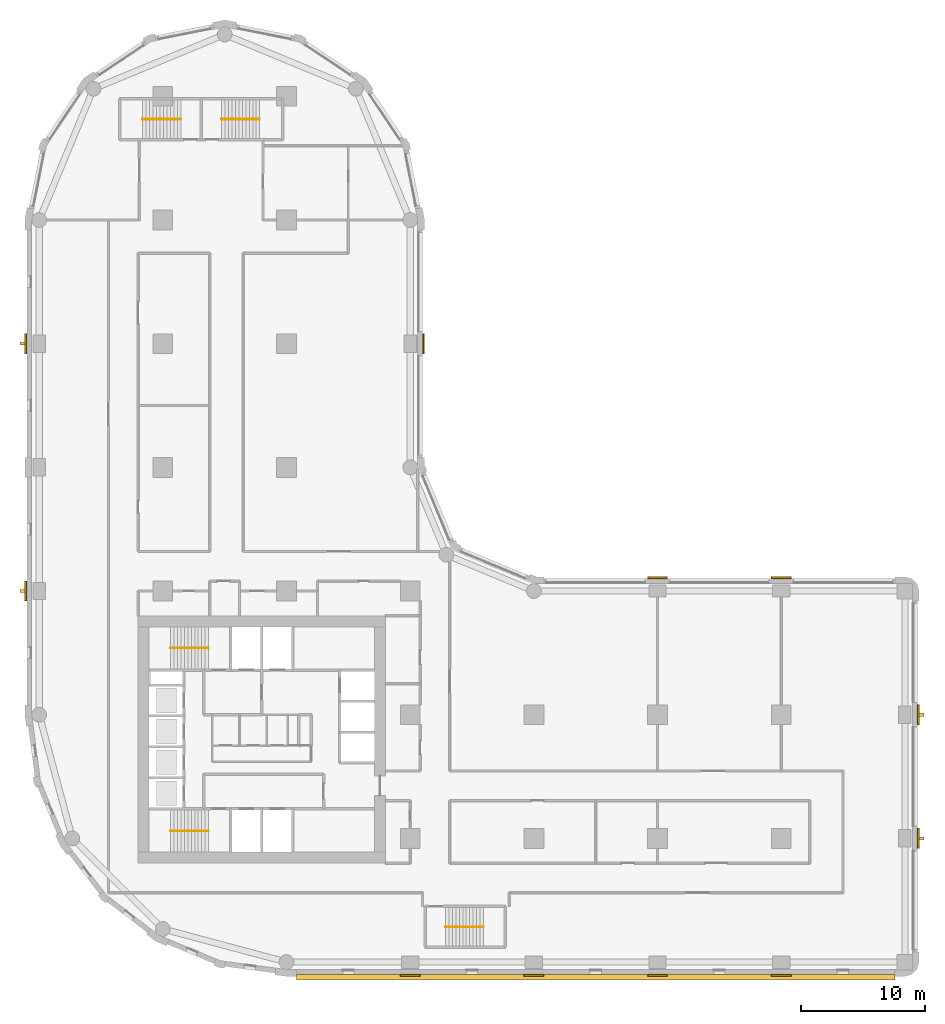
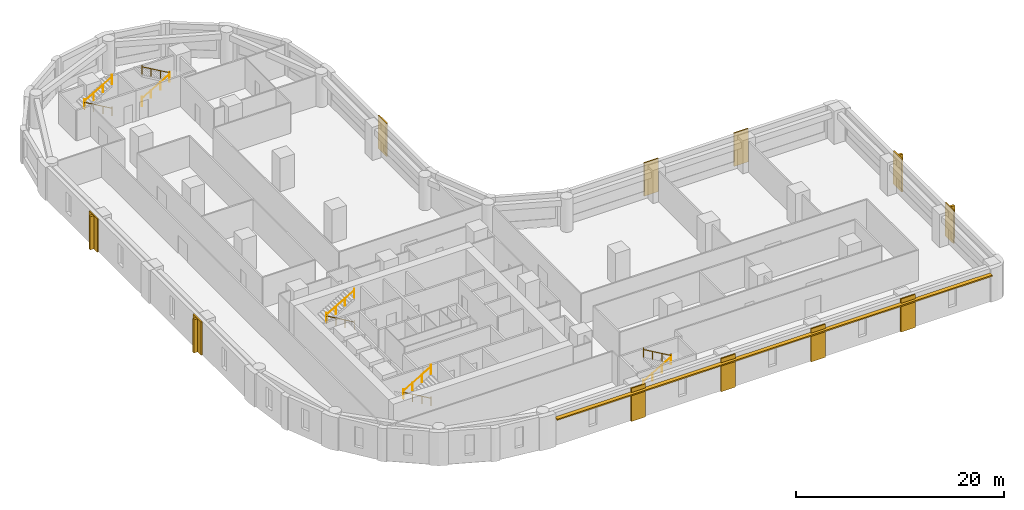
# One storey, part 9 of 10: 11 coverings, 10 railings, 5 shading devices.
"""IFC4 building model written with IfcOpenShell, lengths in metres."""

from ifc_helpers import new_model, si_unit, direction, frame, origin, origin_2d, place, context, subcontext, project, spatial, polyline, rectangle, circle, outline, extrude, material, layer, layer_set, type_object, element, save


model = new_model("IFC4")

# Units and contexts
model_context = context("Model", 3, precision=1e-05, world=origin(), true_north=direction((0.0, 1.0)))
body_context = subcontext(model_context, "Body", "Model", "MODEL_VIEW")
ifc_project = project(units=[si_unit("LENGTHUNIT", "METRE"), si_unit("AREAUNIT", "SQUARE_METRE"), si_unit("VOLUMEUNIT", "CUBIC_METRE"), si_unit("PLANEANGLEUNIT", "RADIAN"), si_unit("MASSUNIT", "GRAM", prefix="KILO")], contexts=[model_context])

# Site, building, storey
site_placement = place(None, origin())
site = spatial("IfcSite", under=ifc_project, at=site_placement, CompositionType="ELEMENT")
building_placement = place(site_placement, origin())
building = spatial("IfcBuilding", under=site, at=building_placement, Name="Qaws Garden Tower", CompositionType="ELEMENT")
storey_placement = place(building_placement, frame((0.0, 0.0, 35.39990234375)))
storey = spatial("IfcBuildingStorey", under=building, at=storey_placement, Name="L08", CompositionType="ELEMENT", Elevation=35.39990234375)

# Coverings
ifc_material_1 = material(Name="Clay facing brick masonry", Category="masonry")
ifc_layer_1 = layer(ifc_material_1, 0.14990234375)
ifc_layer_set_1 = layer_set([ifc_layer_1], Name="Clay facing brick masonry")
covering_type = type_object("IfcCoveringType", Name="Brick pilaster facing 150 x 1600", PredefinedType="CLADDING", material=ifc_layer_set_1)
placement = place(storey_placement, origin())
element("IfcCovering", 1, at=placement, inside=storey, type_object=covering_type, Name="E-L08-pier-01", PredefinedType="CLADDING", context=body_context, shape_type="SweptSolid", body=[
    extrude(outline(polyline([(29.199951171875, -1.0), (30.800048828125, -1.0), (30.800048828125, -1.14990234375), (29.199951171875, -1.14990234375), (29.199951171875, -1.0)])), origin(), (0.0, 0.0, 1.0), 3.900146484375),
])
element("IfcCovering", 2, at=placement, inside=storey, type_object=covering_type, Name="E-L08-pier-02", PredefinedType="CLADDING", context=body_context, shape_type="SweptSolid", body=[
    extrude(outline(polyline([(39.199951171875, -1.0), (40.800048828125, -1.0), (40.800048828125, -1.14990234375), (39.199951171875, -1.14990234375), (39.199951171875, -1.0)])), origin(), (0.0, 0.0, 1.0), 3.900146484375),
])
element("IfcCovering", 3, at=placement, inside=storey, type_object=covering_type, Name="E-L08-pier-03", PredefinedType="CLADDING", context=body_context, shape_type="SweptSolid", body=[
    extrude(outline(polyline([(49.199951171875, -1.0), (50.800048828125, -1.0), (50.800048828125, -1.14990234375), (49.199951171875, -1.14990234375), (49.199951171875, -1.0)])), origin(), (0.0, 0.0, 1.0), 3.900146484375),
])
element("IfcCovering", 4, at=placement, inside=storey, type_object=covering_type, Name="E-L08-pier-04", PredefinedType="CLADDING", context=body_context, shape_type="SweptSolid", body=[
    extrude(outline(polyline([(59.199951171875, -1.0), (60.800048828125, -1.0), (60.800048828125, -1.14990234375), (59.199951171875, -1.14990234375), (59.199951171875, -1.0)])), origin(), (0.0, 0.0, 1.0), 3.900146484375),
])
element("IfcCovering", 5, at=placement, inside=storey, type_object=covering_type, Name="E-L08-pier-06", PredefinedType="CLADDING", context=body_context, shape_type="SweptSolid", body=[
    extrude(outline(polyline([(71.0, 9.199951171875), (71.0, 10.800048828125), (71.14990234375, 10.800048828125), (71.14990234375, 9.199951171875), (71.0, 9.199951171875)])), origin(), (0.0, 0.0, 1.0), 3.900146484375),
])
element("IfcCovering", 6, at=placement, inside=storey, type_object=covering_type, Name="E-L08-pier-07", PredefinedType="CLADDING", context=body_context, shape_type="SweptSolid", body=[
    extrude(outline(polyline([(71.0, 19.199951171875), (71.0, 20.800048828125), (71.14990234375, 20.800048828125), (71.14990234375, 19.199951171875), (71.0, 19.199951171875)])), origin(), (0.0, 0.0, 1.0), 3.900146484375),
])
element("IfcCovering", 7, at=placement, inside=storey, type_object=covering_type, Name="E-L08-pier-09", PredefinedType="CLADDING", context=body_context, shape_type="SweptSolid", body=[
    extrude(outline(polyline([(60.800048828125, 31.0), (59.199951171875, 31.0), (59.199951171875, 31.14990234375), (60.800048828125, 31.14990234375), (60.800048828125, 31.0)])), origin(), (0.0, 0.0, 1.0), 3.900146484375),
])
element("IfcCovering", 8, at=placement, inside=storey, type_object=covering_type, Name="E-L08-pier-10", PredefinedType="CLADDING", context=body_context, shape_type="SweptSolid", body=[
    extrude(outline(polyline([(50.800048828125, 31.0), (49.199951171875, 31.0), (49.199951171875, 31.14990234375), (50.800048828125, 31.14990234375), (50.800048828125, 31.0)])), origin(), (0.0, 0.0, 1.0), 3.900146484375),
])
element("IfcCovering", 9, at=placement, inside=storey, type_object=covering_type, Name="E-L08-pier-14", PredefinedType="CLADDING", context=body_context, shape_type="SweptSolid", body=[
    extrude(outline(polyline([(31.0, 49.199951171875), (31.0, 50.800048828125), (31.14990234375, 50.800048828125), (31.14990234375, 49.199951171875), (31.0, 49.199951171875)])), origin(), (0.0, 0.0, 1.0), 3.900146484375),
])
element("IfcCovering", 10, at=placement, inside=storey, type_object=covering_type, Name="E-L08-pier-24", PredefinedType="CLADDING", context=body_context, shape_type="SweptSolid", body=[
    extrude(outline(polyline([(-1.0, 50.800048828125), (-1.0, 49.199951171875), (-1.14990234375, 49.199951171875), (-1.14990234375, 50.800048828125), (-1.0, 50.800048828125)])), origin(), (0.0, 0.0, 1.0), 3.900146484375),
])
element("IfcCovering", 11, at=placement, inside=storey, type_object=covering_type, Name="E-L08-pier-26", PredefinedType="CLADDING", context=body_context, shape_type="SweptSolid", body=[
    extrude(outline(polyline([(-1.0, 30.800048828125), (-1.0, 29.199951171875), (-1.14990234375, 29.199951171875), (-1.14990234375, 30.800048828125), (-1.0, 30.800048828125)])), origin(), (0.0, 0.0, 1.0), 3.900146484375),
])

# Shading devices
ifc_material_2 = material(Name="Clay facing brick masonry", Category="masonry")
ifc_layer_2 = layer(ifc_material_2, 0.14990234375)
ifc_layer_set_2 = layer_set([ifc_layer_2], Name="Clay facing brick masonry")
shading_device_type_1 = type_object("IfcShadingDeviceType", Name="Brick sunshade band 450 x 150", PredefinedType="JALOUSIE", material=ifc_layer_set_2)
shading_device_placement = place(storey_placement, frame((0.0, 0.0, 3.25)))
element("IfcShadingDevice", 12, at=shading_device_placement, inside=storey, type_object=shading_device_type_1, Name="SUNSHADE 00", PredefinedType="JALOUSIE", context=body_context, shape_type="SweptSolid", body=[
    extrude(outline(polyline([(20.800048828125, -1.0), (20.800048828125, -1.449951171875), (69.199951171875, -1.449951171875), (69.199951171875, -1.0), (60.800048828125, -1.0), (60.800048828125, -1.14990234375), (59.199951171875, -1.14990234375), (59.199951171875, -1.0), (50.800048828125, -1.0), (50.800048828125, -1.14990234375), (49.199951171875, -1.14990234375), (49.199951171875, -1.0), (40.800048828125, -1.0), (40.800048828125, -1.14990234375), (39.199951171875, -1.14990234375), (39.199951171875, -1.0), (30.800048828125, -1.0), (30.800048828125, -1.14990234375), (29.199951171875, -1.14990234375), (29.199951171875, -1.0), (20.800048828125, -1.0)])), origin(), (0.0, 0.0, 1.0), 0.150146484375),
])
ifc_material_3 = material(Name="Clay facing brick masonry", Category="masonry")
ifc_layer_3 = layer(ifc_material_3, 0.25)
ifc_layer_set_3 = layer_set([ifc_layer_3], Name="Clay facing brick masonry")
shading_device_type_2 = type_object("IfcShadingDeviceType", Name="Brick-faced fin 250 x 400", PredefinedType="USERDEFINED", material=ifc_layer_set_3)
for number, where, z_axis, x_axis, name in (
    (13, (71.35009765625, 10.0, 0.000244140625), (0.0, 0.0, 1.0), (0.0, 1.0, 0.0), "FIN 06"),
    (14, (71.35009765625, 20.0, 0.000244140625), (0.0, 0.0, 1.0), (0.0, 1.0, 0.0), "FIN 07"),
    (15, (-1.35009765625, 50.0, 0.000244140625), (0.0, 0.0, 1.0), (0.0, -1.0, 0.0), "FIN 24"),
    (16, (-1.35009765625, 30.0, 0.000244140625), (0.0, 0.0, 1.0), (0.0, -1.0, 0.0), "FIN 26"),
):
    element("IfcShadingDevice", number, at=place(storey_placement, frame(where, z_axis=z_axis, x_axis=x_axis)), inside=storey, type_object=shading_device_type_2, Name=name, ObjectType="FIN", PredefinedType="USERDEFINED", context=body_context, shape_type="SweptSolid", body=[
        extrude(rectangle(XDim=0.25, YDim=0.39990234375, at=origin_2d()), origin(), (0.0, 0.0, 1.0), 3.89990234375),
    ])

# Railings
ifc_material_4 = material(Name="Steel S355", Category="steel")
railing_type = type_object("IfcRailingType", Name="Stair handrail 900", PredefinedType="HANDRAIL", material=ifc_material_4)
railing_1_placement = place(storey_placement, frame((13.699951171875, 10.60009765625, 0.16259765625)))
element("IfcRailing", 17, at=railing_1_placement, inside=storey, type_object=railing_type, Name="Stair 1 handrail", PredefinedType="HANDRAIL", context=body_context, shape_type="SweptSolid", body=[
    extrude(circle(Radius=0.02392578125, at=origin_2d()), frame((0.0, 0.0, 0.8759765625), z_axis=(-0.864873446163, 0.0, 0.501989962173), x_axis=(0.0, -1.0, 0.0)), (0.0, 0.0, 1.0), 3.56103515625),
    extrude(circle(Radius=0.02099609375, at=origin_2d()), origin(), (0.0, 0.0, 1.0), 1.06201171875),
    extrude(circle(Radius=0.02099609375, at=origin_2d()), frame((-1.026611328125, 0.0, 0.595947265625)), (0.0, 0.0, 1.0), 0.851806640625),
    extrude(circle(Radius=0.02099609375, at=origin_2d()), frame((-2.05322265625, 0.0, 1.191650390625)), (0.0, 0.0, 1.0), 0.851806640625),
    extrude(circle(Radius=0.02099609375, at=origin_2d()), frame((-3.079833984375, 0.0, 1.78759765625)), (0.0, 0.0, 1.0), 1.06201171875),
])
railing_2_placement = place(storey_placement, frame((10.6201171875, 10.60009765625, 2.112548828125)))
element("IfcRailing", 18, at=railing_2_placement, inside=storey, type_object=railing_type, Name="Stair 1 handrail", PredefinedType="HANDRAIL", context=body_context, shape_type="SweptSolid", body=[
    extrude(circle(Radius=0.02392578125, at=origin_2d()), frame((0.0, 0.0, 0.8759765625), z_axis=(0.864873446163, 0.0, 0.501989962173), x_axis=(0.0, 1.0, 0.0)), (0.0, 0.0, 1.0), 3.56103515625),
    extrude(circle(Radius=0.02099609375, at=origin_2d()), origin(), (0.0, 0.0, 1.0), 1.06201171875),
    extrude(circle(Radius=0.02099609375, at=origin_2d()), frame((1.026611328125, 0.0, 0.595947265625)), (0.0, 0.0, 1.0), 0.851806640625),
    extrude(circle(Radius=0.02099609375, at=origin_2d()), frame((2.05322265625, 0.0, 1.191650390625)), (0.0, 0.0, 1.0), 0.851806640625),
    extrude(circle(Radius=0.02099609375, at=origin_2d()), frame((3.079833984375, 0.0, 1.78759765625)), (0.0, 0.0, 1.0), 1.06201171875),
])
railing_3_placement = place(storey_placement, frame((13.699951171875, 25.39990234375, 0.16259765625)))
element("IfcRailing", 19, at=railing_3_placement, inside=storey, type_object=railing_type, Name="Stair 4 handrail", PredefinedType="HANDRAIL", context=body_context, shape_type="SweptSolid", body=[
    extrude(circle(Radius=0.02392578125, at=origin_2d()), frame((0.0, 0.0, 0.8759765625), z_axis=(-0.864873446163, 0.0, 0.501989962173), x_axis=(0.0, -1.0, 0.0)), (0.0, 0.0, 1.0), 3.56103515625),
    extrude(circle(Radius=0.02099609375, at=origin_2d()), origin(), (0.0, 0.0, 1.0), 1.06201171875),
    extrude(circle(Radius=0.02099609375, at=origin_2d()), frame((-1.026611328125, 0.0, 0.595947265625)), (0.0, 0.0, 1.0), 0.851806640625),
    extrude(circle(Radius=0.02099609375, at=origin_2d()), frame((-2.05322265625, 0.0, 1.191650390625)), (0.0, 0.0, 1.0), 0.851806640625),
    extrude(circle(Radius=0.02099609375, at=origin_2d()), frame((-3.079833984375, 0.0, 1.78759765625)), (0.0, 0.0, 1.0), 1.06201171875),
])
for number, where, name in (
    (20, (10.6201171875, 25.39990234375, 2.112548828125), "Stair 4 handrail"),
    (21, (32.85009765625, 2.85009765625, 0.16259765625), "Stair 5 handrail"),
):
    element("IfcRailing", number, at=place(storey_placement, frame(where)), inside=storey, type_object=railing_type, Name=name, PredefinedType="HANDRAIL", context=body_context, shape_type="SweptSolid", body=[
        extrude(circle(Radius=0.02392578125, at=origin_2d()), frame((0.0, 0.0, 0.8759765625), z_axis=(0.864873446163, 0.0, 0.501989962173), x_axis=(0.0, 1.0, 0.0)), (0.0, 0.0, 1.0), 3.56103515625),
        extrude(circle(Radius=0.02099609375, at=origin_2d()), origin(), (0.0, 0.0, 1.0), 1.06201171875),
        extrude(circle(Radius=0.02099609375, at=origin_2d()), frame((1.026611328125, 0.0, 0.595947265625)), (0.0, 0.0, 1.0), 0.851806640625),
        extrude(circle(Radius=0.02099609375, at=origin_2d()), frame((2.05322265625, 0.0, 1.191650390625)), (0.0, 0.0, 1.0), 0.851806640625),
        extrude(circle(Radius=0.02099609375, at=origin_2d()), frame((3.079833984375, 0.0, 1.78759765625)), (0.0, 0.0, 1.0), 1.06201171875),
    ])
for number, where, name in (
    (22, (35.929931640625, 2.85009765625, 2.112548828125), "Stair 5 handrail"),
    (23, (11.449951171875, 68.14990234375, 0.16259765625), "Stair 6 handrail"),
):
    element("IfcRailing", number, at=place(storey_placement, frame(where)), inside=storey, type_object=railing_type, Name=name, PredefinedType="HANDRAIL", context=body_context, shape_type="SweptSolid", body=[
        extrude(circle(Radius=0.02392578125, at=origin_2d()), frame((0.0, 0.0, 0.8759765625), z_axis=(-0.864873446163, 0.0, 0.501989962173), x_axis=(0.0, -1.0, 0.0)), (0.0, 0.0, 1.0), 3.56103515625),
        extrude(circle(Radius=0.02099609375, at=origin_2d()), origin(), (0.0, 0.0, 1.0), 1.06201171875),
        extrude(circle(Radius=0.02099609375, at=origin_2d()), frame((-1.026611328125, 0.0, 0.595947265625)), (0.0, 0.0, 1.0), 0.851806640625),
        extrude(circle(Radius=0.02099609375, at=origin_2d()), frame((-2.05322265625, 0.0, 1.191650390625)), (0.0, 0.0, 1.0), 0.851806640625),
        extrude(circle(Radius=0.02099609375, at=origin_2d()), frame((-3.079833984375, 0.0, 1.78759765625)), (0.0, 0.0, 1.0), 1.06201171875),
    ])
railing_4_placement = place(storey_placement, frame((8.3701171875, 68.14990234375, 2.112548828125)))
element("IfcRailing", 24, at=railing_4_placement, inside=storey, type_object=railing_type, Name="Stair 6 handrail", PredefinedType="HANDRAIL", context=body_context, shape_type="SweptSolid", body=[
    extrude(circle(Radius=0.02392578125, at=origin_2d()), frame((0.0, 0.0, 0.8759765625), z_axis=(0.864873446163, 0.0, 0.501989962173), x_axis=(0.0, 1.0, 0.0)), (0.0, 0.0, 1.0), 3.56103515625),
    extrude(circle(Radius=0.02099609375, at=origin_2d()), origin(), (0.0, 0.0, 1.0), 1.06201171875),
    extrude(circle(Radius=0.02099609375, at=origin_2d()), frame((1.026611328125, 0.0, 0.595947265625)), (0.0, 0.0, 1.0), 0.851806640625),
    extrude(circle(Radius=0.02099609375, at=origin_2d()), frame((2.05322265625, 0.0, 1.191650390625)), (0.0, 0.0, 1.0), 0.851806640625),
    extrude(circle(Radius=0.02099609375, at=origin_2d()), frame((3.079833984375, 0.0, 1.78759765625)), (0.0, 0.0, 1.0), 1.06201171875),
])
railing_5_placement = place(storey_placement, frame((14.75, 68.14990234375, 0.16259765625)))
element("IfcRailing", 25, at=railing_5_placement, inside=storey, type_object=railing_type, Name="Stair 7 handrail", PredefinedType="HANDRAIL", context=body_context, shape_type="SweptSolid", body=[
    extrude(circle(Radius=0.02392578125, at=origin_2d()), frame((0.0, 0.0, 0.8759765625), z_axis=(0.864890721111, 0.0, 0.501960198159), x_axis=(0.0, 1.0, 0.0)), (0.0, 0.0, 1.0), 3.561279296875),
    extrude(circle(Radius=0.02099609375, at=origin_2d()), origin(), (0.0, 0.0, 1.0), 1.06201171875),
    extrude(circle(Radius=0.02099609375, at=origin_2d()), frame((1.026611328125, 0.0, 0.595947265625)), (0.0, 0.0, 1.0), 0.851806640625),
    extrude(circle(Radius=0.02099609375, at=origin_2d()), frame((2.053466796875, 0.0, 1.191650390625)), (0.0, 0.0, 1.0), 0.851806640625),
    extrude(circle(Radius=0.02099609375, at=origin_2d()), frame((3.080078125, 0.0, 1.78759765625)), (0.0, 0.0, 1.0), 1.06201171875),
])
railing_6_placement = place(storey_placement, frame((17.830078125, 68.14990234375, 2.112548828125)))
element("IfcRailing", 26, at=railing_6_placement, inside=storey, type_object=railing_type, Name="Stair 7 handrail", PredefinedType="HANDRAIL", context=body_context, shape_type="SweptSolid", body=[
    extrude(circle(Radius=0.02392578125, at=origin_2d()), frame((0.0, 0.0, 0.8759765625), z_axis=(-0.864890721111, 0.0, 0.501960198159), x_axis=(0.0, -1.0, 0.0)), (0.0, 0.0, 1.0), 3.561279296875),
    extrude(circle(Radius=0.02099609375, at=origin_2d()), origin(), (0.0, 0.0, 1.0), 1.06201171875),
    extrude(circle(Radius=0.02099609375, at=origin_2d()), frame((-1.026611328125, 0.0, 0.595947265625)), (0.0, 0.0, 1.0), 0.851806640625),
    extrude(circle(Radius=0.02099609375, at=origin_2d()), frame((-2.053466796875, 0.0, 1.191650390625)), (0.0, 0.0, 1.0), 0.851806640625),
    extrude(circle(Radius=0.02099609375, at=origin_2d()), frame((-3.080078125, 0.0, 1.78759765625)), (0.0, 0.0, 1.0), 1.06201171875),
])

save(model, "model.ifc")
